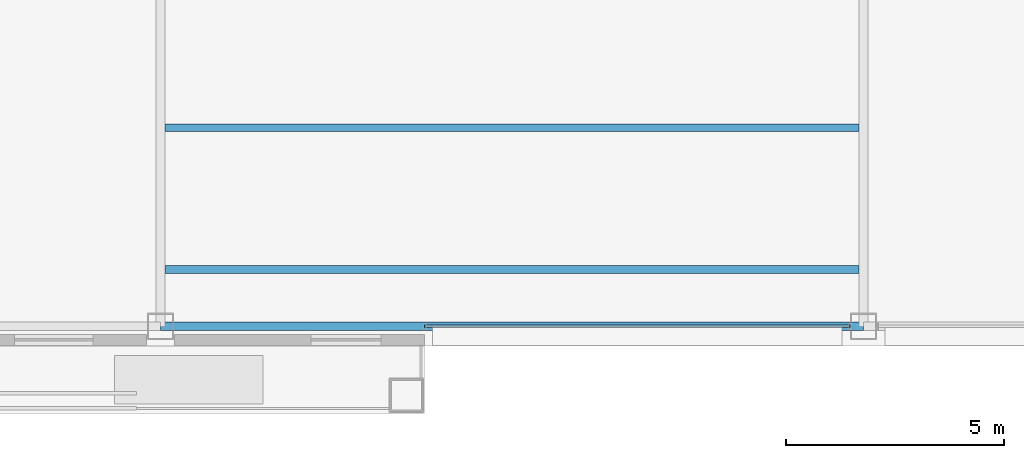
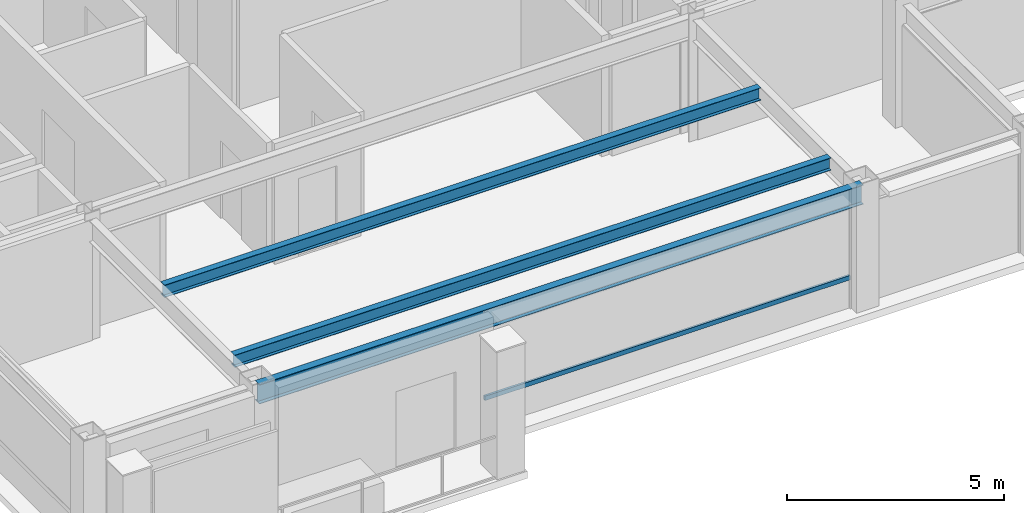
# One storey, part 6 of 24: 3 beams, 1 member, 1 element without a shape of its own.
"""IFC4 building model written with IfcOpenShell, lengths in metres."""

from ifc_helpers import new_model, si_unit, direction, frame, origin, origin_2d, place, context, subcontext, project, spatial, hollow_rectangle, i_section, extrude, material, layer, layer_set, material_profile, profile_set, type_object, element, aggregate, save


model = new_model("IFC4")

# Units and contexts
model_context = context("Model", 3, precision=1e-05, world=origin(), true_north=direction((0.0, 1.0)))
body_context = subcontext(model_context, "Body", "Model", "MODEL_VIEW")
ifc_project = project(units=[si_unit("LENGTHUNIT", "METRE"), si_unit("AREAUNIT", "SQUARE_METRE"), si_unit("VOLUMEUNIT", "CUBIC_METRE"), si_unit("PLANEANGLEUNIT", "RADIAN"), si_unit("MASSUNIT", "GRAM", prefix="KILO")], contexts=[model_context])

# Site, building, storey
site_placement = place(None, origin())
site = spatial("IfcSite", under=ifc_project, at=site_placement, CompositionType="ELEMENT")
building_placement = place(site_placement, origin())
building = spatial("IfcBuilding", under=site, at=building_placement, Name="Brelmoor Portico Tower", CompositionType="ELEMENT")
storey_placement = place(building_placement, frame((0.0, 0.0, 261.60009765625)))
storey = spatial("IfcBuildingStorey", under=building, at=storey_placement, Name="L69", CompositionType="ELEMENT", Elevation=261.60009765625)

# Beams
ifc_material_1 = material(Name="Steel Q355B", Category="steel")
ifc_material_profile_1 = material_profile(ifc_material_1, i_section(OverallWidth=0.175048828125, OverallDepth=0.35009765625, WebThickness=0.007080078125, FlangeThickness=0.010986328125, at=origin_2d()), Name="HN 350x175x7x11")
ifc_profile_set_1 = profile_set([ifc_material_profile_1], Name="Steel Q355B")
beam_type_1 = type_object("IfcBeamType", Name="BM-JS-350", PredefinedType="JOIST", material=ifc_profile_set_1)
for number, where, z_axis, x_axis, name in (
    (1, (-7.949951171875, -16.25, 3.224853515625), (1.0, 0.0, 0.0), (0.0, 1.0, 0.0), "L69 Secondary Composite Joist JS-C01"),
    (2, (-7.949951171875, -13.0, 3.224853515625), (1.0, 0.0, 0.0), (0.0, 1.0, 0.0), "L69 Secondary Composite Joist JS-C02"),
):
    element("IfcBeam", number, at=place(storey_placement, frame(where, z_axis=z_axis, x_axis=x_axis)), inside=storey, type_object=beam_type_1, Name=name, PredefinedType="JOIST", context=body_context, shape_type="SweptSolid", body=[
        extrude(i_section(OverallWidth=0.175048828125, OverallDepth=0.35009765625, WebThickness=0.007080078125, FlangeThickness=0.010986328125, at=origin_2d()), origin(), (0.0, 0.0, 1.0), 15.89990234375),
    ])
ifc_material_profile_2 = material_profile(ifc_material_1, i_section(OverallWidth=0.199951171875, OverallDepth=0.550048828125, WebThickness=0.010009765625, FlangeThickness=0.01611328125, at=origin_2d()), Name="HN 550x200x10x16")
ifc_profile_set_2 = profile_set([ifc_material_profile_2], Name="Steel Q355B")
beam_type_2 = type_object("IfcBeamType", Name="BM-SP-550", PredefinedType="SPANDREL", material=ifc_profile_set_2)
beam_placement = place(storey_placement, frame((-8.050048828125, -17.550048828125, 3.125), z_axis=(1.0, 0.0, 0.0), x_axis=(0.0, 1.0, 0.0)))
element("IfcBeam", 3, at=beam_placement, inside=storey, type_object=beam_type_2, Name="L69 Perimeter Spandrel Beam SP-02", PredefinedType="SPANDREL", context=body_context, shape_type="SweptSolid", body=[
    extrude(i_section(OverallWidth=0.199951171875, OverallDepth=0.550048828125, WebThickness=0.010009765625, FlangeThickness=0.01611328125, at=origin_2d()), origin(), (0.0, 0.0, 1.0), 16.10009765625),
])

# Curtain wall, member
ifc_material_2 = material(Name="Anodised Aluminium Alloy 6063-T6", Category="aluminium")
ifc_layer = layer(ifc_material_2, 0.179931640625)
ifc_layer_set = layer_set([ifc_layer], Name="Anodised Aluminium Alloy 6063-T6")
curtain_wall_type = type_object("IfcCurtainWallType", Name="CW-TOWER-Z4", PredefinedType="NOTDEFINED", material=ifc_layer_set)
curtain_wall_placement = place(storey_placement, origin())
curtain_wall = element("IfcCurtainWall", 4, at=curtain_wall_placement, inside=storey, type_object=curtain_wall_type, Name="L69 Curtain Wall CW-L69-1R-1", PredefinedType="NOTDEFINED")
ifc_material_profile_3 = material_profile(ifc_material_2, hollow_rectangle(XDim=0.06005859375, YDim=0.125, WallThickness=0.00341796875, at=origin_2d()), Name="ALU TRANSOM 60x125")
ifc_profile_set_3 = profile_set([ifc_material_profile_3], Name="Anodised Aluminium Alloy 6063-T6")
member_type = type_object("IfcMemberType", Name="MB-CW-TRAN-125", PredefinedType="USERDEFINED", material=ifc_profile_set_3)
member_placement = place(storey_placement, frame((-2.0, -17.550048828125, 0.849853515625), z_axis=(1.0, 0.0, 0.0), x_axis=(0.0, 1.0, 0.0)))
member = element("IfcMember", 5, at=member_placement, type_object=member_type, Name="CW-L69-1R-1 Transom 1-00", ObjectType="TRANSOM", PredefinedType="USERDEFINED", context=body_context, shape_type="SweptSolid", body=[
    extrude(hollow_rectangle(XDim=0.06005859375, YDim=0.125, WallThickness=0.00341796875, at=origin_2d()), origin(), (0.0, 0.0, 1.0), 9.739990234375),
])
aggregate(curtain_wall, [member])

save(model, "model.ifc")
